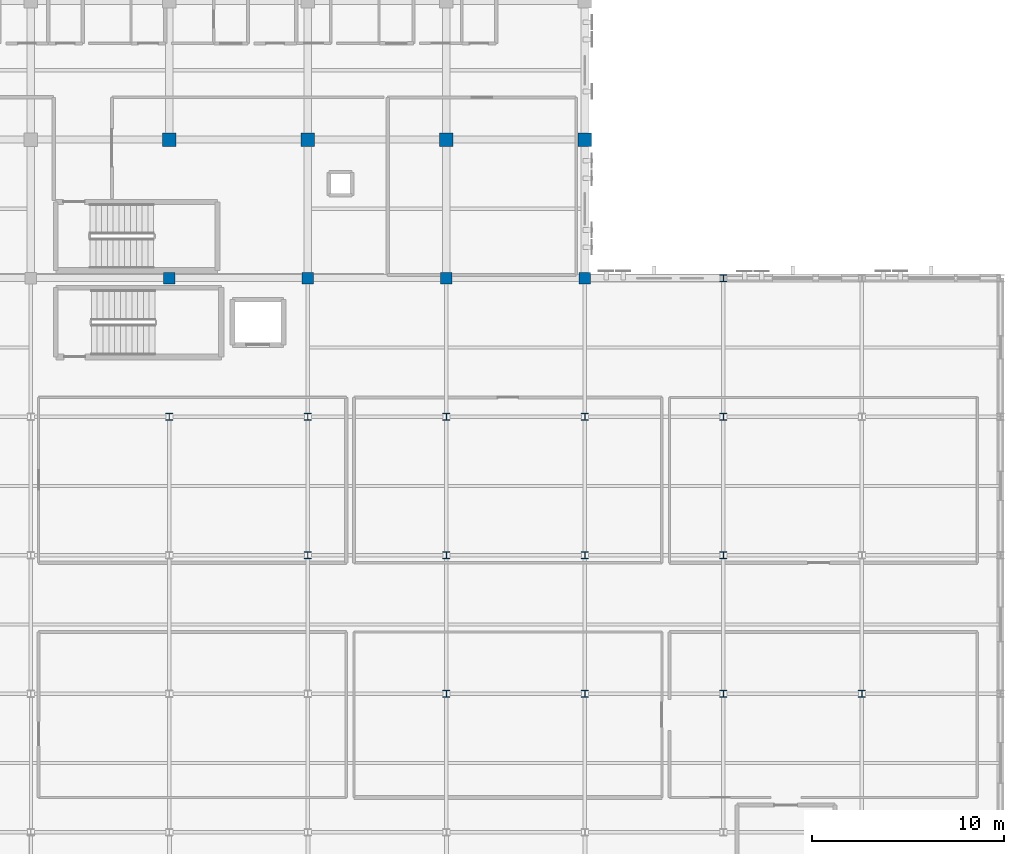
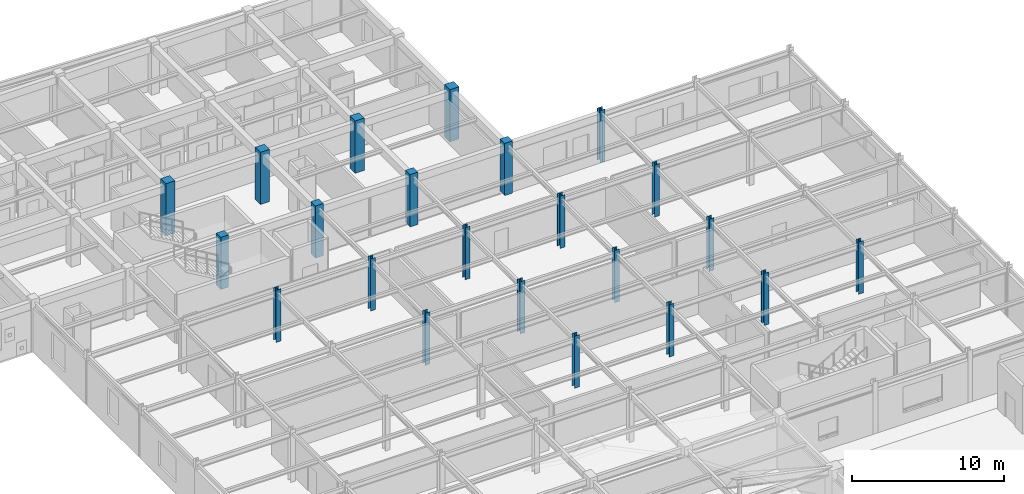
# One storey, part 15 of 113: 22 columns.
"""IFC4 building model written with IfcOpenShell, lengths in metres."""

from ifc_helpers import new_model, si_unit, direction, frame, origin, origin_2d, place, context, subcontext, project, spatial, rectangle, i_section, extrude, material, material_profile, profile_set, type_object, element, save


model = new_model("IFC4")

# Units and contexts
model_context = context("Model", 3, precision=1e-05, world=origin(), true_north=direction((0.0, 1.0)))
body_context = subcontext(model_context, "Body", "Model", "MODEL_VIEW")
ifc_project = project(units=[si_unit("LENGTHUNIT", "METRE"), si_unit("AREAUNIT", "SQUARE_METRE"), si_unit("VOLUMEUNIT", "CUBIC_METRE"), si_unit("PLANEANGLEUNIT", "RADIAN"), si_unit("MASSUNIT", "GRAM", prefix="KILO")], contexts=[model_context])

# Site, building, storey
site_placement = place(None, origin())
site = spatial("IfcSite", under=ifc_project, at=site_placement, CompositionType="ELEMENT")
building_placement = place(site_placement, origin())
building = spatial("IfcBuilding", under=site, at=building_placement, Name="Carrowvane Square Congress Hotel", CompositionType="ELEMENT")
storey_placement = place(building_placement, frame((0.0, 0.0, 15.0)))
storey = spatial("IfcBuildingStorey", under=building, at=storey_placement, Name="L03", CompositionType="ELEMENT", Elevation=15.0)

# Columns
ifc_material_1 = material(Name="Concrete C40/50", Category="concrete")
ifc_material_profile_1 = material_profile(ifc_material_1, rectangle(XDim=0.60009765625, YDim=0.60009765625, at=origin_2d()), Name="RC 600x600")
ifc_profile_set_1 = profile_set([ifc_material_profile_1], Name="Concrete C40/50")
column_type_1 = type_object("IfcColumnType", Name="COL-RC-600", PredefinedType="COLUMN", material=ifc_profile_set_1)
for number, where, z_axis, x_axis, name in (
    (1, (141.199951171875, 91.800048828125, 0.0), (0.0, 0.0, 1.0), (1.0, 0.0, 0.0), "L03 column 19/N"),
    (2, (148.39990234375, 91.800048828125, 0.0), (0.0, 0.0, 1.0), (1.0, 0.0, 0.0), "L03 column 20/N"),
    (3, (155.60009765625, 91.800048828125, 0.0), (0.0, 0.0, 1.0), (1.0, 0.0, 0.0), "L03 column 21/N"),
    (4, (162.800048828125, 91.800048828125, 0.0), (0.0, 0.0, 1.0), (1.0, 0.0, 0.0), "L03 column 22/N"),
):
    element("IfcColumn", number, at=place(storey_placement, frame(where, z_axis=z_axis, x_axis=x_axis)), inside=storey, type_object=column_type_1, Name=name, PredefinedType="COLUMN", context=body_context, shape_type="SweptSolid", body=[
        extrude(rectangle(XDim=0.60009765625, YDim=0.60009765625, at=origin_2d()), origin(), (0.0, 0.0, 1.0), 4.199951171875),
    ])
ifc_material_2 = material(Name="Concrete C40/50", Category="concrete")
ifc_material_profile_2 = material_profile(ifc_material_2, rectangle(XDim=0.699951171875, YDim=0.699951171875, at=origin_2d()), Name="RC 700x700")
ifc_profile_set_2 = profile_set([ifc_material_profile_2], Name="Concrete C40/50")
column_type_2 = type_object("IfcColumnType", Name="COL-RC-700", PredefinedType="COLUMN", material=ifc_profile_set_2)
for number, where, z_axis, x_axis, name in (
    (5, (141.199951171875, 99.0, 0.0), (0.0, 0.0, 1.0), (1.0, 0.0, 0.0), "L03 column 19/P"),
    (6, (148.39990234375, 99.0, 0.0), (0.0, 0.0, 1.0), (1.0, 0.0, 0.0), "L03 column 20/P"),
    (7, (155.60009765625, 99.0, 0.0), (0.0, 0.0, 1.0), (1.0, 0.0, 0.0), "L03 column 21/P"),
    (8, (162.800048828125, 99.0, 0.0), (0.0, 0.0, 1.0), (1.0, 0.0, 0.0), "L03 column 22/P"),
):
    element("IfcColumn", number, at=place(storey_placement, frame(where, z_axis=z_axis, x_axis=x_axis)), inside=storey, type_object=column_type_2, Name=name, PredefinedType="COLUMN", context=body_context, shape_type="SweptSolid", body=[
        extrude(rectangle(XDim=0.699951171875, YDim=0.699951171875, at=origin_2d()), origin(), (0.0, 0.0, 1.0), 4.199951171875),
    ])
ifc_material_3 = material(Name="Steel S355", Category="steel")
ifc_material_profile_3 = material_profile(ifc_material_3, i_section(OverallWidth=0.37060546875, OverallDepth=0.362060546875, WebThickness=0.01220703125, FlangeThickness=0.020751953125, FilletRadius=0.01513671875, at=origin_2d()), Name="UKC 356x368x153")
ifc_profile_set_3 = profile_set([ifc_material_profile_3], Name="Steel S355")
column_type_3 = type_object("IfcColumnType", Name="COL-ST-UKC356", PredefinedType="COLUMN", material=ifc_profile_set_3)
for number, where, z_axis, x_axis, name in (
    (9, (141.199951171875, 84.60009765625, 0.0), (0.0, 0.0, 1.0), (1.0, 0.0, 0.0), "L03 column 19/M"),
    (10, (148.39990234375, 77.39990234375, 0.0), (0.0, 0.0, 1.0), (1.0, 0.0, 0.0), "L03 column 20/L"),
    (11, (148.39990234375, 84.60009765625, 0.0), (0.0, 0.0, 1.0), (1.0, 0.0, 0.0), "L03 column 20/M"),
    (12, (155.60009765625, 70.199951171875, 0.0), (0.0, 0.0, 1.0), (1.0, 0.0, 0.0), "L03 column 21/K"),
    (13, (155.60009765625, 77.39990234375, 0.0), (0.0, 0.0, 1.0), (1.0, 0.0, 0.0), "L03 column 21/L"),
    (14, (155.60009765625, 84.60009765625, 0.0), (0.0, 0.0, 1.0), (1.0, 0.0, 0.0), "L03 column 21/M"),
    (15, (162.800048828125, 70.199951171875, 0.0), (0.0, 0.0, 1.0), (1.0, 0.0, 0.0), "L03 column 22/K"),
    (16, (162.800048828125, 77.39990234375, 0.0), (0.0, 0.0, 1.0), (1.0, 0.0, 0.0), "L03 column 22/L"),
    (17, (162.800048828125, 84.60009765625, 0.0), (0.0, 0.0, 1.0), (1.0, 0.0, 0.0), "L03 column 22/M"),
    (18, (170.0, 70.199951171875, 0.0), (0.0, 0.0, 1.0), (1.0, 0.0, 0.0), "L03 column 23/K"),
    (19, (170.0, 77.39990234375, 0.0), (0.0, 0.0, 1.0), (1.0, 0.0, 0.0), "L03 column 23/L"),
    (20, (170.0, 84.60009765625, 0.0), (0.0, 0.0, 1.0), (1.0, 0.0, 0.0), "L03 column 23/M"),
    (21, (170.0, 91.800048828125, 0.0), (0.0, 0.0, 1.0), (1.0, 0.0, 0.0), "L03 column 23/N"),
    (22, (177.199951171875, 70.199951171875, 0.0), (0.0, 0.0, 1.0), (1.0, 0.0, 0.0), "L03 column 24/K"),
):
    element("IfcColumn", number, at=place(storey_placement, frame(where, z_axis=z_axis, x_axis=x_axis)), inside=storey, type_object=column_type_3, Name=name, PredefinedType="COLUMN", context=body_context, shape_type="SweptSolid", body=[
        extrude(i_section(OverallWidth=0.37060546875, OverallDepth=0.362060546875, WebThickness=0.01220703125, FlangeThickness=0.020751953125, FilletRadius=0.01513671875, at=origin_2d()), origin(), (0.0, 0.0, 1.0), 4.199951171875),
    ])

save(model, "model.ifc")
